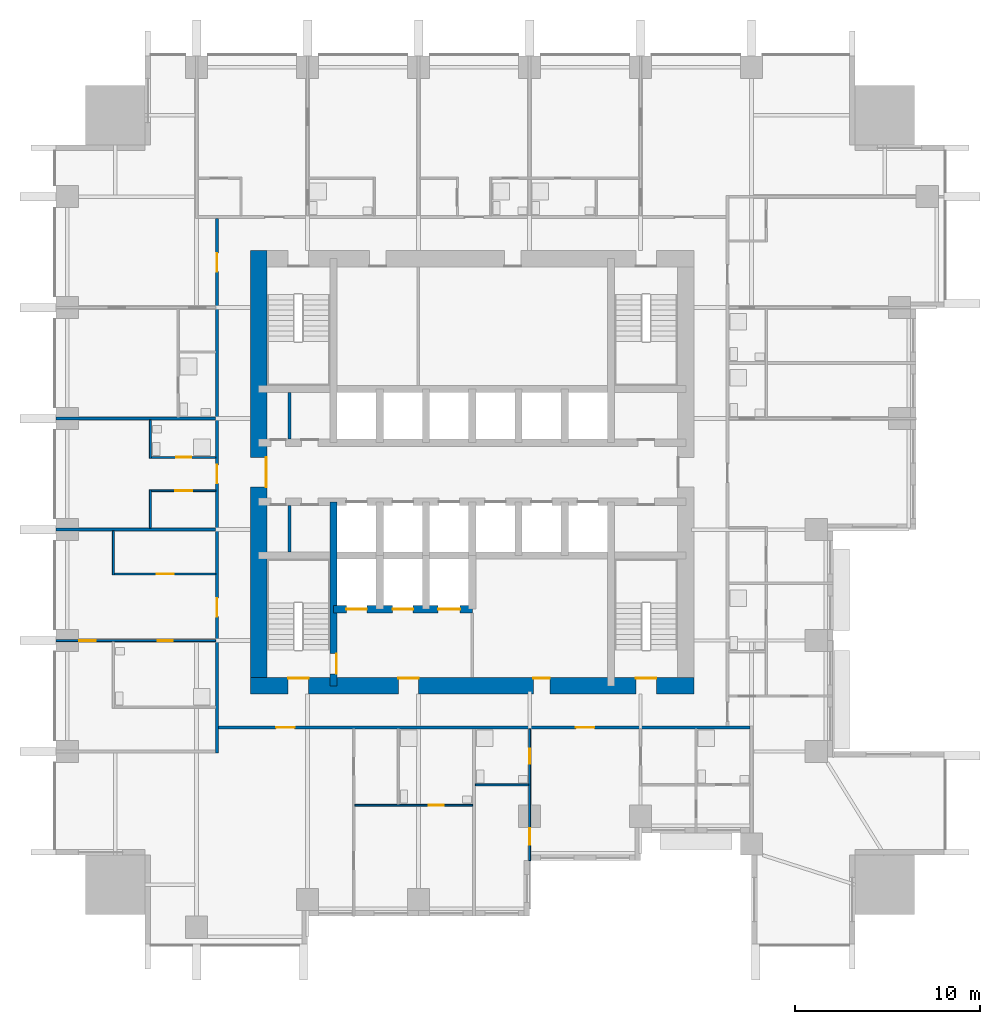
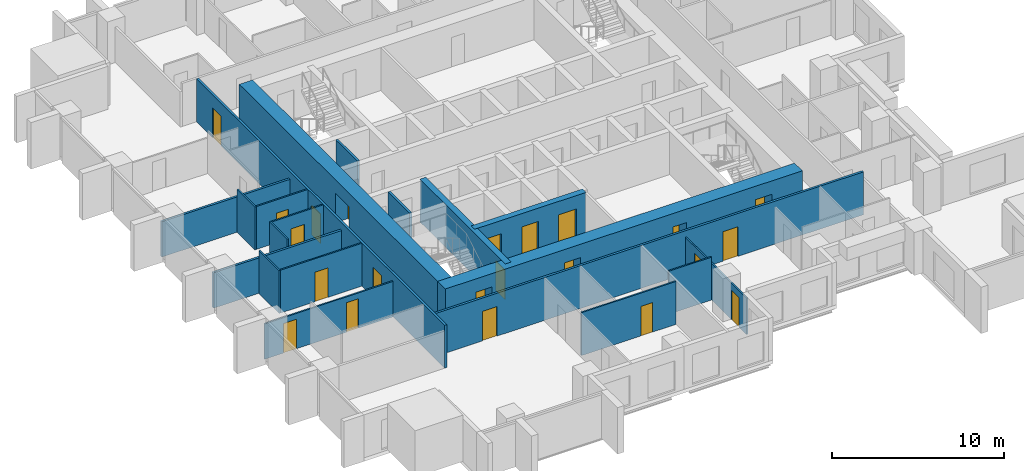
# One storey, part 4 of 10: 22 doors, 20 walls, 22 openings.
"""IFC4 building model written with IfcOpenShell, lengths in metres."""

from ifc_helpers import new_model, si_unit, direction, frame, frame_2d, origin, place, context, subcontext, project, spatial, rectangle, extrude, material, layer, layer_set, type_object, element, fill, save


model = new_model("IFC4")

# Units and contexts
model_context = context("Model", 3, precision=1e-05, world=origin(), true_north=direction((0.0, 1.0)))
body_context = subcontext(model_context, "Body", "Model", "MODEL_VIEW")
ifc_project = project(units=[si_unit("LENGTHUNIT", "METRE"), si_unit("AREAUNIT", "SQUARE_METRE"), si_unit("VOLUMEUNIT", "CUBIC_METRE"), si_unit("PLANEANGLEUNIT", "RADIAN"), si_unit("MASSUNIT", "GRAM", prefix="KILO")], contexts=[model_context])

# Site, building, storey
site_placement = place(None, origin())
site = spatial("IfcSite", under=ifc_project, at=site_placement, CompositionType="ELEMENT")
building_placement = place(site_placement, origin())
building = spatial("IfcBuilding", under=site, at=building_placement, Name="Amberfall Residences", CompositionType="ELEMENT")
storey_placement = place(building_placement, frame((0.0, 0.0, 63.10009765625)))
storey = spatial("IfcBuildingStorey", under=building, at=storey_placement, Name="L17", CompositionType="ELEMENT", Elevation=63.10009765625)

# Wall, opening, door
ifc_material_1 = material(Name="Concrete C80", Category="concrete")
ifc_layer_1 = layer(ifc_material_1, 0.39990234375)
ifc_layer_set_1 = layer_set([ifc_layer_1], Name="Core wall 400 C80")
wall_type_1 = type_object("IfcWallType", Name="Core wall 400 C80", PredefinedType="SHEAR", material=ifc_layer_set_1)
wall_1_placement = place(storey_placement, frame((67.0, 33.949951171875, 0.0), z_axis=(0.0, 0.0, 1.0), x_axis=(0.0, 1.0, 0.0)))
wall_1 = element("IfcWall", 1, at=wall_1_placement, inside=storey, type_object=wall_type_1, Name="Core wall RW2 L17 V45S", PredefinedType="SHEAR", context=body_context, shape_type="SweptSolid", body=[
    extrude(rectangle(XDim=9.949951171875, YDim=0.39990234375, at=frame_2d((4.97509765625, 0.0))), origin(), (0.0, 0.0, 1.0), 3.0498046875),
])
opening_1_placement = place(wall_1_placement, frame((0.64990234375, 0.0, 0.0)))
opening_1 = element("IfcOpeningElement", 2, at=opening_1_placement, cuts=wall_1, Name="Opening FL1", PredefinedType="OPENING", context=body_context, shape_type="SweptSolid", body=[
    extrude(rectangle(XDim=1.10009765625, YDim=2.10009765625, at=frame_2d((0.550048828125, 1.050048828125))), frame((0.0, 0.2099609375, 0.0), z_axis=(0.0, -1.0, 0.0), x_axis=(1.0, 0.0, 0.0)), (0.0, 0.0, 1.0), 0.419921875),
])
ifc_material_2 = material(Name="Steel fire door set", Category="steel")
door_type_1 = type_object("IfcDoorType", Name="Firefighting lobby door 1100 x 2100", OperationType="SINGLE_SWING_LEFT", PredefinedType="DOOR", material=ifc_material_2)
door_1_placement = place(opening_1_placement, origin())
door_1 = element("IfcDoor", 3, at=door_1_placement, inside=storey, type_object=door_type_1, Name="FL1 L17", OperationType="SINGLE_SWING_RIGHT", OverallHeight=2.10009765625, OverallWidth=1.10009765625, PredefinedType="DOOR", context=body_context, shape_type="SweptSolid", body=[
    extrude(rectangle(XDim=1.10009765625, YDim=2.10009765625, at=frame_2d((0.550048828125, 1.050048828125))), frame((0.0, -0.1376953125, 0.0), z_axis=(0.0, -1.0, 0.0), x_axis=(1.0, 0.0, 0.0)), (0.0, 0.0, 1.0), 0.050048828125),
])
fill(opening_1, door_1)

# Wall, openings, doors
wall_2_placement = place(storey_placement, frame((67.0, 38.10009765625, 0.0), z_axis=(0.0, 0.0, 1.0), x_axis=(1.0, 0.0, 0.0)))
wall_2 = element("IfcWall", 4, at=wall_2_placement, inside=storey, type_object=wall_type_1, Name="Core wall RW2 L17 FFF", PredefinedType="SHEAR", context=body_context, shape_type="SweptSolid", body=[
    extrude(rectangle(XDim=7.5, YDim=0.39990234375, at=frame_2d((3.75, 0.0))), origin(), (0.0, 0.0, 1.0), 3.0498046875),
])
opening_2_placement = place(wall_2_placement, frame((0.699951171875, 0.0, 0.0)))
opening_2 = element("IfcOpeningElement", 5, at=opening_2_placement, cuts=wall_2, Name="Opening LD2", PredefinedType="OPENING", context=body_context, shape_type="SweptSolid", body=[
    extrude(rectangle(XDim=1.10009765625, YDim=2.10009765625, at=frame_2d((0.550048828125, 1.050048828125))), frame((0.0, 0.2099609375, 0.0), z_axis=(0.0, -1.0, 0.0), x_axis=(1.0, 0.0, 0.0)), (0.0, 0.0, 1.0), 0.419921875),
])
opening_3_placement = place(wall_2_placement, frame((3.199951171875, 0.0, 0.0)))
opening_3 = element("IfcOpeningElement", 6, at=opening_3_placement, cuts=wall_2, Name="Opening LD2", PredefinedType="OPENING", context=body_context, shape_type="SweptSolid", body=[
    extrude(rectangle(XDim=1.10009765625, YDim=2.10009765625, at=frame_2d((0.550048828125, 1.050048828125))), frame((0.0, 0.2099609375, 0.0), z_axis=(0.0, -1.0, 0.0), x_axis=(1.0, 0.0, 0.0)), (0.0, 0.0, 1.0), 0.419921875),
])
opening_4_placement = place(wall_2_placement, frame((5.64990234375, 0.0, 0.0)))
opening_4 = element("IfcOpeningElement", 7, at=opening_4_placement, cuts=wall_2, Name="Opening LD3", PredefinedType="OPENING", context=body_context, shape_type="SweptSolid", body=[
    extrude(rectangle(XDim=1.199951171875, YDim=2.10009765625, at=frame_2d((0.60009765625, 1.050048828125))), frame((0.0, 0.2099609375, 0.0), z_axis=(0.0, -1.0, 0.0), x_axis=(1.0, 0.0, 0.0)), (0.0, 0.0, 1.0), 0.419921875),
])
door_type_2 = type_object("IfcDoorType", Name="Firefighting lift landing door 1100 x 2100", OperationType="DOUBLE_DOOR_SLIDING", PredefinedType="DOOR", material=ifc_material_2)
door_2_placement = place(opening_2_placement, origin())
door_2 = element("IfcDoor", 8, at=door_2_placement, inside=storey, type_object=door_type_2, Name="Landing door FF1 L17", OperationType="DOUBLE_DOOR_SLIDING", OverallHeight=2.10009765625, OverallWidth=1.10009765625, PredefinedType="DOOR", context=body_context, shape_type="SweptSolid", body=[
    extrude(rectangle(XDim=1.10009765625, YDim=2.10009765625, at=frame_2d((0.550048828125, 1.050048828125))), frame((0.0, 0.02490234375, 0.0), z_axis=(0.0, -1.0, 0.0), x_axis=(1.0, 0.0, 0.0)), (0.0, 0.0, 1.0), 0.050048828125),
])
fill(opening_2, door_2)
door_3_placement = place(opening_3_placement, origin())
door_3 = element("IfcDoor", 9, at=door_3_placement, inside=storey, type_object=door_type_2, Name="Landing door FF2 L17", OperationType="DOUBLE_DOOR_SLIDING", OverallHeight=2.10009765625, OverallWidth=1.10009765625, PredefinedType="DOOR", context=body_context, shape_type="SweptSolid", body=[
    extrude(rectangle(XDim=1.10009765625, YDim=2.10009765625, at=frame_2d((0.550048828125, 1.050048828125))), frame((0.0, 0.02490234375, 0.0), z_axis=(0.0, -1.0, 0.0), x_axis=(1.0, 0.0, 0.0)), (0.0, 0.0, 1.0), 0.050048828125),
])
fill(opening_3, door_3)
door_type_3 = type_object("IfcDoorType", Name="Service lift landing door 1200 x 2100", OperationType="DOUBLE_DOOR_SLIDING", PredefinedType="DOOR", material=ifc_material_2)
door_4_placement = place(opening_4_placement, origin())
door_4 = element("IfcDoor", 10, at=door_4_placement, inside=storey, type_object=door_type_3, Name="Landing door SL1 L17", OperationType="DOUBLE_DOOR_SLIDING", OverallHeight=2.10009765625, OverallWidth=1.199951171875, PredefinedType="DOOR", context=body_context, shape_type="SweptSolid", body=[
    extrude(rectangle(XDim=1.199951171875, YDim=2.10009765625, at=frame_2d((0.60009765625, 1.050048828125))), frame((0.0, 0.02490234375, 0.0), z_axis=(0.0, -1.0, 0.0), x_axis=(1.0, 0.0, 0.0)), (0.0, 0.0, 1.0), 0.050048828125),
])
fill(opening_4, door_4)

ifc_layer_2 = layer(ifc_material_1, 0.89990234375)
ifc_layer_set_2 = layer_set([ifc_layer_2], Name="Core wall 900 C80")
wall_type_2 = type_object("IfcWallType", Name="Core wall 900 C80", PredefinedType="SHEAR", material=ifc_layer_set_2)
wall_3_placement = place(storey_placement, frame((62.5, 33.949951171875, 0.0), z_axis=(0.0, 0.0, 1.0), x_axis=(1.0, 0.0, 0.0)))
wall_3 = element("IfcWall", 11, at=wall_3_placement, inside=storey, type_object=wall_type_2, Name="Core wall RW1 L17 OS", PredefinedType="SHEAR", context=body_context, shape_type="SweptSolid", body=[
    extrude(rectangle(XDim=24.0, YDim=0.89990234375, at=frame_2d((12.0, 0.0))), origin(), (0.0, 0.0, 1.0), 3.0498046875),
])
opening_5_placement = place(wall_3_placement, frame((2.050048828125, 0.0, 0.0)))
opening_5 = element("IfcOpeningElement", 12, at=opening_5_placement, cuts=wall_3, Name="Opening SD1", PredefinedType="OPENING", context=body_context, shape_type="SweptSolid", body=[
    extrude(rectangle(XDim=1.10009765625, YDim=2.10009765625, at=frame_2d((0.550048828125, 1.050048828125))), frame((0.0, 0.4599609375, 0.0), z_axis=(0.0, -1.0, 0.0), x_axis=(1.0, 0.0, 0.0)), (0.0, 0.0, 1.0), 0.919921875),
])
opening_6_placement = place(wall_3_placement, frame((20.85009765625, 0.0, 0.0)))
opening_6 = element("IfcOpeningElement", 13, at=opening_6_placement, cuts=wall_3, Name="Opening SD1", PredefinedType="OPENING", context=body_context, shape_type="SweptSolid", body=[
    extrude(rectangle(XDim=1.10009765625, YDim=2.10009765625, at=frame_2d((0.550048828125, 1.050048828125))), frame((0.0, 0.4599609375, 0.0), z_axis=(0.0, -1.0, 0.0), x_axis=(1.0, 0.0, 0.0)), (0.0, 0.0, 1.0), 0.919921875),
])
opening_7_placement = place(wall_3_placement, frame((8.0, 0.0, 0.0)))
opening_7 = element("IfcOpeningElement", 14, at=opening_7_placement, cuts=wall_3, Name="Opening FL1", PredefinedType="OPENING", context=body_context, shape_type="SweptSolid", body=[
    extrude(rectangle(XDim=1.10009765625, YDim=2.10009765625, at=frame_2d((0.550048828125, 1.050048828125))), frame((0.0, 0.4599609375, 0.0), z_axis=(0.0, -1.0, 0.0), x_axis=(1.0, 0.0, 0.0)), (0.0, 0.0, 1.0), 0.919921875),
])
opening_8_placement = place(wall_3_placement, frame((15.300048828125, 0.0, 0.0)))
opening_8 = element("IfcOpeningElement", 15, at=opening_8_placement, cuts=wall_3, Name="Opening RD1", PredefinedType="OPENING", context=body_context, shape_type="SweptSolid", body=[
    extrude(rectangle(XDim=0.89990234375, YDim=2.10009765625, at=frame_2d((0.449951171875, 1.050048828125))), frame((0.0, 0.4599609375, 0.0), z_axis=(0.0, -1.0, 0.0), x_axis=(1.0, 0.0, 0.0)), (0.0, 0.0, 1.0), 0.919921875),
])
door_5_placement = place(opening_7_placement, origin())
door_5 = element("IfcDoor", 16, at=door_5_placement, inside=storey, type_object=door_type_1, Name="FL1 L17", OperationType="SINGLE_SWING_LEFT", OverallHeight=2.10009765625, OverallWidth=1.10009765625, PredefinedType="DOOR", context=body_context, shape_type="SweptSolid", body=[
    extrude(rectangle(XDim=1.10009765625, YDim=2.10009765625, at=frame_2d((0.550048828125, 1.050048828125))), frame((0.0, 0.4375, 0.0), z_axis=(0.0, -1.0, 0.0), x_axis=(1.0, 0.0, 0.0)), (0.0, 0.0, 1.0), 0.050048828125),
])
fill(opening_7, door_5)
door_type_4 = type_object("IfcDoorType", Name="Service room door 900 x 2100", OperationType="SINGLE_SWING_LEFT", PredefinedType="DOOR", material=ifc_material_2)
door_6_placement = place(opening_8_placement, origin())
door_6 = element("IfcDoor", 17, at=door_6_placement, inside=storey, type_object=door_type_4, Name="RD1 L17", OperationType="SINGLE_SWING_LEFT", OverallHeight=2.10009765625, OverallWidth=0.89990234375, PredefinedType="DOOR", context=body_context, shape_type="SweptSolid", body=[
    extrude(rectangle(XDim=0.89990234375, YDim=2.10009765625, at=frame_2d((0.449951171875, 1.050048828125))), frame((0.0, 0.4375, 0.0), z_axis=(0.0, -1.0, 0.0), x_axis=(1.0, 0.0, 0.0)), (0.0, 0.0, 1.0), 0.050048828125),
])
fill(opening_8, door_6)
door_type_5 = type_object("IfcDoorType", Name="Stair door 1100 x 2100", OperationType="SINGLE_SWING_LEFT", PredefinedType="DOOR", material=ifc_material_2)
door_7_placement = place(opening_5_placement, origin())
door_7 = element("IfcDoor", 18, at=door_7_placement, inside=storey, type_object=door_type_5, Name="SD1 L17", OperationType="SINGLE_SWING_LEFT", OverallHeight=2.10009765625, OverallWidth=1.10009765625, PredefinedType="DOOR", context=body_context, shape_type="SweptSolid", body=[
    extrude(rectangle(XDim=1.10009765625, YDim=2.10009765625, at=frame_2d((0.550048828125, 1.050048828125))), frame((0.0, 0.4375, 0.0), z_axis=(0.0, -1.0, 0.0), x_axis=(1.0, 0.0, 0.0)), (0.0, 0.0, 1.0), 0.050048828125),
])
fill(opening_5, door_7)
door_8_placement = place(opening_6_placement, origin())
door_8 = element("IfcDoor", 19, at=door_8_placement, inside=storey, type_object=door_type_5, Name="SD1 L17", OperationType="SINGLE_SWING_RIGHT", OverallHeight=2.10009765625, OverallWidth=1.10009765625, PredefinedType="DOOR", context=body_context, shape_type="SweptSolid", body=[
    extrude(rectangle(XDim=1.10009765625, YDim=2.10009765625, at=frame_2d((0.550048828125, 1.050048828125))), frame((0.0, 0.4375, 0.0), z_axis=(0.0, -1.0, 0.0), x_axis=(1.0, 0.0, 0.0)), (0.0, 0.0, 1.0), 0.050048828125),
])
fill(opening_6, door_8)

# Wall, opening, door
wall_4_placement = place(storey_placement, frame((62.949951171875, 33.5, 0.0), z_axis=(0.0, 0.0, 1.0), x_axis=(0.0, 1.0, 0.0)))
wall_4 = element("IfcWall", 20, at=wall_4_placement, inside=storey, type_object=wall_type_2, Name="Core wall RW1 L17 OW", PredefinedType="SHEAR", context=body_context, shape_type="SweptSolid", body=[
    extrude(rectangle(XDim=24.0, YDim=0.89990234375, at=frame_2d((12.0, 0.0))), origin(), (0.0, 0.0, 1.0), 3.0498046875),
])
opening_9_placement = place(wall_4_placement, frame((11.199951171875, 0.0, 0.0)))
opening_9 = element("IfcOpeningElement", 21, at=opening_9_placement, cuts=wall_4, Name="Opening LB1", PredefinedType="OPENING", context=body_context, shape_type="SweptSolid", body=[
    extrude(rectangle(XDim=1.60009765625, YDim=2.10009765625, at=frame_2d((0.800048828125, 1.050048828125))), frame((0.0, 0.4599609375, 0.0), z_axis=(0.0, -1.0, 0.0), x_axis=(1.0, 0.0, 0.0)), (0.0, 0.0, 1.0), 0.919921875),
])
door_type_6 = type_object("IfcDoorType", Name="Lift lobby double door 1600 x 2100", OperationType="DOUBLE_DOOR_SINGLE_SWING", PredefinedType="DOOR", material=ifc_material_2)
door_9_placement = place(opening_9_placement, origin())
door_9 = element("IfcDoor", 22, at=door_9_placement, inside=storey, type_object=door_type_6, Name="LB1 L17", OperationType="DOUBLE_DOOR_SINGLE_SWING", OverallHeight=2.10009765625, OverallWidth=1.60009765625, PredefinedType="DOOR", context=body_context, shape_type="SweptSolid", body=[
    extrude(rectangle(XDim=1.60009765625, YDim=2.10009765625, at=frame_2d((0.800048828125, 1.050048828125))), frame((0.0, -0.3876953125, 0.0), z_axis=(0.0, -1.0, 0.0), x_axis=(1.0, 0.0, 0.0)), (0.0, 0.0, 1.0), 0.050048828125),
])
fill(opening_9, door_9)

# Walls
ifc_material_3 = material(Name="Gypsum board on metal stud")
ifc_layer_3 = layer(ifc_material_3, 0.10009765625)
ifc_layer_set_3 = layer_set([ifc_layer_3], Name="Flat partition 100")
wall_type_3 = type_object("IfcWallType", Name="Flat partition 100", PredefinedType="PARTITIONING", material=ifc_layer_set_3)
wall_5_placement = place(storey_placement, frame((55.10009765625, 39.949951171875, 0.0), z_axis=(0.0, 0.0, 1.0), x_axis=(0.0, 1.0, 0.0)))
element("IfcWall", 23, at=wall_5_placement, inside=storey, type_object=wall_type_3, Name="Partition 002", PredefinedType="PARTITIONING", context=body_context, shape_type="SweptSolid", body=[
    extrude(rectangle(XDim=2.375, YDim=0.10009765625, at=frame_2d((1.1875, 0.0))), origin(), (0.0, 0.0, 1.0), 3.0498046875),
])
for number, where, z_axis, x_axis, name in (
    (24, (57.10009765625, 42.47509765625, 0.0), (0.0, 0.0, 1.0), (0.0, 1.0, 0.0), "Partition 003"),
    (25, (57.10009765625, 46.25, 0.0), (0.0, 0.0, 1.0), (0.0, 1.0, 0.0), "Partition 004"),
):
    element("IfcWall", number, at=place(storey_placement, frame(where, z_axis=z_axis, x_axis=x_axis)), inside=storey, type_object=wall_type_3, Name=name, PredefinedType="PARTITIONING", context=body_context, shape_type="SweptSolid", body=[
        extrude(rectangle(XDim=2.074951171875, YDim=0.10009765625, at=frame_2d((1.03759765625, 0.0))), origin(), (0.0, 0.0, 1.0), 3.0498046875),
    ])

# Wall, openings, doors
wall_6_placement = place(storey_placement, frame((77.60009765625, 24.5, 0.0), z_axis=(0.0, 0.0, 1.0), x_axis=(0.0, 1.0, 0.0)))
wall_6 = element("IfcWall", 26, at=wall_6_placement, inside=storey, type_object=wall_type_3, Name="Partition 013", PredefinedType="PARTITIONING", context=body_context, shape_type="SweptSolid", body=[
    extrude(rectangle(XDim=7.125, YDim=0.10009765625, at=frame_2d((3.5625, 0.0))), origin(), (0.0, 0.0, 1.0), 2.58984375),
])
opening_10_placement = place(wall_6_placement, frame((0.85009765625, 0.0, 0.0)))
opening_10 = element("IfcOpeningElement", 27, at=opening_10_placement, cuts=wall_6, Name="Opening D41", PredefinedType="OPENING", context=body_context, shape_type="SweptSolid", body=[
    extrude(rectangle(XDim=0.89990234375, YDim=2.10009765625, at=frame_2d((0.449951171875, 1.050048828125))), frame((0.0, 0.06005859375, 0.0), z_axis=(0.0, -1.0, 0.0), x_axis=(1.0, 0.0, 0.0)), (0.0, 0.0, 1.0), 0.1201171875),
])
opening_11_placement = place(wall_6_placement, frame((5.25, 0.0, 0.0)))
opening_11 = element("IfcOpeningElement", 28, at=opening_11_placement, cuts=wall_6, Name="Opening D42", PredefinedType="OPENING", context=body_context, shape_type="SweptSolid", body=[
    extrude(rectangle(XDim=0.800048828125, YDim=2.10009765625, at=frame_2d((0.39990234375, 1.050048828125))), frame((0.0, 0.06005859375, 0.0), z_axis=(0.0, -1.0, 0.0), x_axis=(1.0, 0.0, 0.0)), (0.0, 0.0, 1.0), 0.1201171875),
])
ifc_material_4 = material(Name="Timber", Category="wood")
door_type_7 = type_object("IfcDoorType", Name="Bathroom door 800 x 2100", OperationType="SINGLE_SWING_LEFT", PredefinedType="DOOR", material=ifc_material_4)
door_10_placement = place(opening_11_placement, origin())
door_10 = element("IfcDoor", 29, at=door_10_placement, inside=storey, type_object=door_type_7, Name="Door 1702 bath1", OperationType="SINGLE_SWING_LEFT", OverallHeight=2.10009765625, OverallWidth=0.800048828125, PredefinedType="DOOR", context=body_context, shape_type="SweptSolid", body=[
    extrude(rectangle(XDim=0.800048828125, YDim=2.10009765625, at=frame_2d((0.39990234375, 1.050048828125))), frame((0.0, 0.02490234375, 0.0), z_axis=(0.0, -1.0, 0.0), x_axis=(1.0, 0.0, 0.0)), (0.0, 0.0, 1.0), 0.050048828125),
])
fill(opening_11, door_10)
door_type_8 = type_object("IfcDoorType", Name="Internal door 900 x 2100", OperationType="SINGLE_SWING_LEFT", PredefinedType="DOOR", material=ifc_material_4)
door_11_placement = place(opening_10_placement, origin())
door_11 = element("IfcDoor", 30, at=door_11_placement, inside=storey, type_object=door_type_8, Name="Door 1702 bedroom1", OperationType="SINGLE_SWING_LEFT", OverallHeight=2.10009765625, OverallWidth=0.89990234375, PredefinedType="DOOR", context=body_context, shape_type="SweptSolid", body=[
    extrude(rectangle(XDim=0.89990234375, YDim=2.10009765625, at=frame_2d((0.449951171875, 1.050048828125))), frame((0.0, 0.02490234375, 0.0), z_axis=(0.0, -1.0, 0.0), x_axis=(1.0, 0.0, 0.0)), (0.0, 0.0, 1.0), 0.050048828125),
])
fill(opening_10, door_11)

# Wall, opening, door
wall_7_placement = place(storey_placement, frame((57.14990234375, 46.300048828125, 0.0), z_axis=(0.0, 0.0, 1.0), x_axis=(1.0, 0.0, 0.0)))
wall_7 = element("IfcWall", 31, at=wall_7_placement, inside=storey, type_object=wall_type_3, Name="Partition 030", PredefinedType="PARTITIONING", context=body_context, shape_type="SweptSolid", body=[
    extrude(rectangle(XDim=3.47509765625, YDim=0.10009765625, at=frame_2d((1.737548828125, 0.0))), origin(), (0.0, 0.0, 1.0), 3.0498046875),
])
opening_12_placement = place(wall_7_placement, frame((1.35009765625, 0.0, 0.0)))
opening_12 = element("IfcOpeningElement", 32, at=opening_12_placement, cuts=wall_7, Name="Opening D42", PredefinedType="OPENING", context=body_context, shape_type="SweptSolid", body=[
    extrude(rectangle(XDim=0.800048828125, YDim=2.10009765625, at=frame_2d((0.39990234375, 1.050048828125))), frame((0.0, 0.06005859375, 0.0), z_axis=(0.0, -1.0, 0.0), x_axis=(1.0, 0.0, 0.0)), (0.0, 0.0, 1.0), 0.1201171875),
])
door_12_placement = place(opening_12_placement, origin())
door_12 = element("IfcDoor", 33, at=door_12_placement, inside=storey, type_object=door_type_7, Name="Door 1710 bath1", OperationType="SINGLE_SWING_LEFT", OverallHeight=2.10009765625, OverallWidth=0.800048828125, PredefinedType="DOOR", context=body_context, shape_type="SweptSolid", body=[
    extrude(rectangle(XDim=0.800048828125, YDim=2.10009765625, at=frame_2d((0.39990234375, 1.050048828125))), frame((0.0, 0.02490234375, 0.0), z_axis=(0.0, -1.0, 0.0), x_axis=(1.0, 0.0, 0.0)), (0.0, 0.0, 1.0), 0.050048828125),
])
fill(opening_12, door_12)

wall_8_placement = place(storey_placement, frame((60.625, 44.5, 0.0), z_axis=(0.0, 0.0, 1.0), x_axis=(-1.0, 0.0, 0.0)))
wall_8 = element("IfcWall", 34, at=wall_8_placement, inside=storey, type_object=wall_type_3, Name="Partition 031", PredefinedType="PARTITIONING", context=body_context, shape_type="SweptSolid", body=[
    extrude(rectangle(XDim=3.47509765625, YDim=0.10009765625, at=frame_2d((1.737548828125, 0.0))), origin(), (0.0, 0.0, 1.0), 3.0498046875),
])
opening_13_placement = place(wall_8_placement, frame((1.27490234375, 0.0, 0.0)))
opening_13 = element("IfcOpeningElement", 35, at=opening_13_placement, cuts=wall_8, Name="Opening D41", PredefinedType="OPENING", context=body_context, shape_type="SweptSolid", body=[
    extrude(rectangle(XDim=0.89990234375, YDim=2.10009765625, at=frame_2d((0.449951171875, 1.050048828125))), frame((0.0, 0.06005859375, 0.0), z_axis=(0.0, -1.0, 0.0), x_axis=(1.0, 0.0, 0.0)), (0.0, 0.0, 1.0), 0.1201171875),
])
door_13_placement = place(opening_13_placement, origin())
door_13 = element("IfcDoor", 36, at=door_13_placement, inside=storey, type_object=door_type_8, Name="Door 1710 kitchen", OperationType="SINGLE_SWING_LEFT", OverallHeight=2.10009765625, OverallWidth=0.89990234375, PredefinedType="DOOR", context=body_context, shape_type="SweptSolid", body=[
    extrude(rectangle(XDim=0.89990234375, YDim=2.10009765625, at=frame_2d((0.449951171875, 1.050048828125))), frame((0.0, 0.02490234375, 0.0), z_axis=(0.0, -1.0, 0.0), x_axis=(1.0, 0.0, 0.0)), (0.0, 0.0, 1.0), 0.050048828125),
])
fill(opening_13, door_13)

wall_9_placement = place(storey_placement, frame((55.14990234375, 40.0, 0.0), z_axis=(0.0, 0.0, 1.0), x_axis=(1.0, 0.0, 0.0)))
wall_9 = element("IfcWall", 37, at=wall_9_placement, inside=storey, type_object=wall_type_3, Name="Partition 033", PredefinedType="PARTITIONING", context=body_context, shape_type="SweptSolid", body=[
    extrude(rectangle(XDim=5.47509765625, YDim=0.10009765625, at=frame_2d((2.737548828125, 0.0))), origin(), (0.0, 0.0, 1.0), 3.0498046875),
])
opening_14_placement = place(wall_9_placement, frame((2.300048828125, 0.0, 0.0)))
opening_14 = element("IfcOpeningElement", 38, at=opening_14_placement, cuts=wall_9, Name="Opening D41", PredefinedType="OPENING", context=body_context, shape_type="SweptSolid", body=[
    extrude(rectangle(XDim=0.89990234375, YDim=2.10009765625, at=frame_2d((0.449951171875, 1.050048828125))), frame((0.0, 0.06005859375, 0.0), z_axis=(0.0, -1.0, 0.0), x_axis=(1.0, 0.0, 0.0)), (0.0, 0.0, 1.0), 0.1201171875),
])
door_14_placement = place(opening_14_placement, origin())
door_14 = element("IfcDoor", 39, at=door_14_placement, inside=storey, type_object=door_type_8, Name="Door 1709 kitchen", OperationType="SINGLE_SWING_LEFT", OverallHeight=2.10009765625, OverallWidth=0.89990234375, PredefinedType="DOOR", context=body_context, shape_type="SweptSolid", body=[
    extrude(rectangle(XDim=0.89990234375, YDim=2.10009765625, at=frame_2d((0.449951171875, 1.050048828125))), frame((0.0, 0.02490234375, 0.0), z_axis=(0.0, -1.0, 0.0), x_axis=(1.0, 0.0, 0.0)), (0.0, 0.0, 1.0), 0.050048828125),
])
fill(opening_14, door_14)

# Wall, openings, doors
wall_10_placement = place(storey_placement, frame((60.625, 36.39990234375, 0.0), z_axis=(0.0, 0.0, 1.0), x_axis=(-1.0, 0.0, 0.0)))
wall_10 = element("IfcWall", 40, at=wall_10_placement, inside=storey, type_object=wall_type_3, Name="Partition 034", PredefinedType="PARTITIONING", context=body_context, shape_type="SweptSolid", body=[
    extrude(rectangle(XDim=8.625, YDim=0.10009765625, at=frame_2d((4.3125, 0.0))), origin(), (0.0, 0.0, 1.0), 2.515869140625),
])
opening_15_placement = place(wall_10_placement, frame((6.47509765625, 0.0, 0.0)))
opening_15 = element("IfcOpeningElement", 41, at=opening_15_placement, cuts=wall_10, Name="Opening D41", PredefinedType="OPENING", context=body_context, shape_type="SweptSolid", body=[
    extrude(rectangle(XDim=0.89990234375, YDim=2.10009765625, at=frame_2d((0.449951171875, 1.050048828125))), frame((0.0, 0.06005859375, 0.0), z_axis=(0.0, -1.0, 0.0), x_axis=(1.0, 0.0, 0.0)), (0.0, 0.0, 1.0), 0.1201171875),
])
opening_16_placement = place(wall_10_placement, frame((2.324951171875, 0.0, 0.0)))
opening_16 = element("IfcOpeningElement", 42, at=opening_16_placement, cuts=wall_10, Name="Opening D42", PredefinedType="OPENING", context=body_context, shape_type="SweptSolid", body=[
    extrude(rectangle(XDim=0.800048828125, YDim=2.10009765625, at=frame_2d((0.39990234375, 1.050048828125))), frame((0.0, 0.06005859375, 0.0), z_axis=(0.0, -1.0, 0.0), x_axis=(1.0, 0.0, 0.0)), (0.0, 0.0, 1.0), 0.1201171875),
])
door_15_placement = place(opening_16_placement, origin())
door_15 = element("IfcDoor", 43, at=door_15_placement, inside=storey, type_object=door_type_7, Name="Door 1709 bath1", OperationType="SINGLE_SWING_LEFT", OverallHeight=2.10009765625, OverallWidth=0.800048828125, PredefinedType="DOOR", context=body_context, shape_type="SweptSolid", body=[
    extrude(rectangle(XDim=0.800048828125, YDim=2.10009765625, at=frame_2d((0.39990234375, 1.050048828125))), frame((0.0, 0.02490234375, 0.0), z_axis=(0.0, -1.0, 0.0), x_axis=(1.0, 0.0, 0.0)), (0.0, 0.0, 1.0), 0.050048828125),
])
fill(opening_16, door_15)
door_16_placement = place(opening_15_placement, origin())
door_16 = element("IfcDoor", 44, at=door_16_placement, inside=storey, type_object=door_type_8, Name="Door 1709 bedroom1", OperationType="SINGLE_SWING_LEFT", OverallHeight=2.10009765625, OverallWidth=0.89990234375, PredefinedType="DOOR", context=body_context, shape_type="SweptSolid", body=[
    extrude(rectangle(XDim=0.89990234375, YDim=2.10009765625, at=frame_2d((0.449951171875, 1.050048828125))), frame((0.0, 0.02490234375, 0.0), z_axis=(0.0, -1.0, 0.0), x_axis=(1.0, 0.0, 0.0)), (0.0, 0.0, 1.0), 0.050048828125),
])
fill(opening_15, door_16)

# Wall
wall_11_placement = place(storey_placement, frame((74.675048828125, 28.60009765625, 0.0), z_axis=(0.0, 0.0, 1.0), x_axis=(1.0, 0.0, 0.0)))
element("IfcWall", 45, at=wall_11_placement, inside=storey, type_object=wall_type_3, Name="Partition 038", PredefinedType="PARTITIONING", context=body_context, shape_type="SweptSolid", body=[
    extrude(rectangle(XDim=2.875, YDim=0.10009765625, at=frame_2d((1.4375, 0.0))), origin(), (0.0, 0.0, 1.0), 3.0498046875),
])

# Wall, opening, door
wall_12_placement = place(storey_placement, frame((68.14990234375, 27.5, 0.0), z_axis=(0.0, 0.0, 1.0), x_axis=(1.0, 0.0, 0.0)))
wall_12 = element("IfcWall", 46, at=wall_12_placement, inside=storey, type_object=wall_type_3, Name="Partition 040", PredefinedType="PARTITIONING", context=body_context, shape_type="SweptSolid", body=[
    extrude(rectangle(XDim=6.375, YDim=0.10009765625, at=frame_2d((3.1875, 0.0))), origin(), (0.0, 0.0, 1.0), 3.0498046875),
])
opening_17_placement = place(wall_12_placement, frame((4.0, 0.0, 0.0)))
opening_17 = element("IfcOpeningElement", 47, at=opening_17_placement, cuts=wall_12, Name="Opening D42", PredefinedType="OPENING", context=body_context, shape_type="SweptSolid", body=[
    extrude(rectangle(XDim=0.800048828125, YDim=2.10009765625, at=frame_2d((0.39990234375, 1.050048828125))), frame((0.0, 0.06005859375, 0.0), z_axis=(0.0, -1.0, 0.0), x_axis=(1.0, 0.0, 0.0)), (0.0, 0.0, 1.0), 0.1201171875),
])
door_17_placement = place(opening_17_placement, origin())
door_17 = element("IfcDoor", 48, at=door_17_placement, inside=storey, type_object=door_type_7, Name="Door 1701 bath1", OperationType="SINGLE_SWING_LEFT", OverallHeight=2.10009765625, OverallWidth=0.800048828125, PredefinedType="DOOR", context=body_context, shape_type="SweptSolid", body=[
    extrude(rectangle(XDim=0.800048828125, YDim=2.10009765625, at=frame_2d((0.39990234375, 1.050048828125))), frame((0.0, 0.02490234375, 0.0), z_axis=(0.0, -1.0, 0.0), x_axis=(1.0, 0.0, 0.0)), (0.0, 0.0, 1.0), 0.050048828125),
])
fill(opening_17, door_17)

# Wall, openings, doors
ifc_material_5 = material(Name="Blockwork, plastered", Category="masonry")
ifc_layer_4 = layer(ifc_material_5, 0.14990234375)
ifc_layer_set_4 = layer_set([ifc_layer_4], Name="Flat separating wall 150")
wall_type_4 = type_object("IfcWallType", Name="Flat separating wall 150", PredefinedType="PARTITIONING", material=ifc_layer_set_4)
wall_13_placement = place(storey_placement, frame((60.699951171875, 30.324951171875, 0.0), z_axis=(0.0, 0.0, 1.0), x_axis=(0.0, 1.0, 0.0)))
wall_13 = element("IfcWall", 49, at=wall_13_placement, inside=storey, type_object=wall_type_4, Name="Separating wall 042", PredefinedType="PARTITIONING", context=body_context, shape_type="SweptSolid", body=[
    extrude(rectangle(XDim=28.900146484375, YDim=0.14990234375, at=frame_2d((14.4501953125, 0.0))), origin(), (0.0, 0.0, 1.0), 3.0498046875),
])
opening_18_placement = place(wall_13_placement, frame((7.375, 0.0, 0.0)))
opening_18 = element("IfcOpeningElement", 50, at=opening_18_placement, cuts=wall_13, Name="Opening D40", PredefinedType="OPENING", context=body_context, shape_type="SweptSolid", body=[
    extrude(rectangle(XDim=1.0, YDim=2.10009765625, at=frame_2d((0.5, 1.050048828125))), frame((0.0, 0.0849609375, 0.0), z_axis=(0.0, -1.0, 0.0), x_axis=(1.0, 0.0, 0.0)), (0.0, 0.0, 1.0), 0.169921875),
])
opening_19_placement = place(wall_13_placement, frame((14.574951171875, 0.0, 0.0)))
opening_19 = element("IfcOpeningElement", 51, at=opening_19_placement, cuts=wall_13, Name="Opening D40", PredefinedType="OPENING", context=body_context, shape_type="SweptSolid", body=[
    extrude(rectangle(XDim=1.0, YDim=2.10009765625, at=frame_2d((0.5, 1.050048828125))), frame((0.0, 0.0849609375, 0.0), z_axis=(0.0, -1.0, 0.0), x_axis=(1.0, 0.0, 0.0)), (0.0, 0.0, 1.0), 0.169921875),
])
opening_20_placement = place(wall_13_placement, frame((26.02490234375, 0.0, 0.0)))
opening_20 = element("IfcOpeningElement", 52, at=opening_20_placement, cuts=wall_13, Name="Opening D40", PredefinedType="OPENING", context=body_context, shape_type="SweptSolid", body=[
    extrude(rectangle(XDim=1.0, YDim=2.10009765625, at=frame_2d((0.5, 1.050048828125))), frame((0.0, 0.0849609375, 0.0), z_axis=(0.0, -1.0, 0.0), x_axis=(1.0, 0.0, 0.0)), (0.0, 0.0, 1.0), 0.169921875),
])
ifc_material_6 = material(Name="Timber, fire-rated", Category="wood")
door_type_9 = type_object("IfcDoorType", Name="Flat entrance door FD60 1000 x 2100", OperationType="SINGLE_SWING_LEFT", PredefinedType="DOOR", material=ifc_material_6)
door_18_placement = place(opening_18_placement, origin())
door_18 = element("IfcDoor", 53, at=door_18_placement, inside=storey, type_object=door_type_9, Name="Door 1709 entrance", OperationType="SINGLE_SWING_LEFT", OverallHeight=2.10009765625, OverallWidth=1.0, PredefinedType="DOOR", context=body_context, shape_type="SweptSolid", body=[
    extrude(rectangle(XDim=1.0, YDim=2.10009765625, at=frame_2d((0.5, 1.050048828125))), frame((0.0, 0.02490234375, 0.0), z_axis=(0.0, -1.0, 0.0), x_axis=(1.0, 0.0, 0.0)), (0.0, 0.0, 1.0), 0.050048828125),
])
fill(opening_18, door_18)
door_19_placement = place(opening_19_placement, origin())
door_19 = element("IfcDoor", 54, at=door_19_placement, inside=storey, type_object=door_type_9, Name="Door 1710 entrance", OperationType="SINGLE_SWING_LEFT", OverallHeight=2.10009765625, OverallWidth=1.0, PredefinedType="DOOR", context=body_context, shape_type="SweptSolid", body=[
    extrude(rectangle(XDim=1.0, YDim=2.10009765625, at=frame_2d((0.5, 1.050048828125))), frame((0.0, 0.02490234375, 0.0), z_axis=(0.0, -1.0, 0.0), x_axis=(1.0, 0.0, 0.0)), (0.0, 0.0, 1.0), 0.050048828125),
])
fill(opening_19, door_19)
door_20_placement = place(opening_20_placement, origin())
door_20 = element("IfcDoor", 55, at=door_20_placement, inside=storey, type_object=door_type_9, Name="Door 1711 entrance", OperationType="SINGLE_SWING_LEFT", OverallHeight=2.10009765625, OverallWidth=1.0, PredefinedType="DOOR", context=body_context, shape_type="SweptSolid", body=[
    extrude(rectangle(XDim=1.0, YDim=2.10009765625, at=frame_2d((0.5, 1.050048828125))), frame((0.0, 0.02490234375, 0.0), z_axis=(0.0, -1.0, 0.0), x_axis=(1.0, 0.0, 0.0)), (0.0, 0.0, 1.0), 0.050048828125),
])
fill(opening_20, door_20)

# Walls
for number, where, z_axis, x_axis, name in (
    (56, (52.0, 48.39990234375, 0.0), (0.0, 0.0, 1.0), (1.0, 0.0, 0.0), "Separating wall 051"),
    (57, (52.0, 42.39990234375, 0.0), (0.0, 0.0, 1.0), (1.0, 0.0, 0.0), "Separating wall 052"),
):
    element("IfcWall", number, at=place(storey_placement, frame(where, z_axis=z_axis, x_axis=x_axis)), inside=storey, type_object=wall_type_4, Name=name, PredefinedType="PARTITIONING", context=body_context, shape_type="SweptSolid", body=[
        extrude(rectangle(XDim=8.625, YDim=0.14990234375, at=frame_2d((4.3125, 0.0))), origin(), (0.0, 0.0, 1.0), 2.515869140625),
    ])

# Wall, openings, doors
wall_14_placement = place(storey_placement, frame((89.52490234375, 31.699951171875, 0.0), z_axis=(0.0, 0.0, 1.0), x_axis=(-1.0, 0.0, 0.0)))
wall_14 = element("IfcWall", 58, at=wall_14_placement, inside=storey, type_object=wall_type_4, Name="Separating wall 054", PredefinedType="PARTITIONING", context=body_context, shape_type="SweptSolid", body=[
    extrude(rectangle(XDim=28.75, YDim=0.14990234375, at=frame_2d((14.375, 0.0))), origin(), (0.0, 0.0, 1.0), 3.0498046875),
])
opening_21_placement = place(wall_14_placement, frame((24.625, 0.0, 0.0)))
opening_21 = element("IfcOpeningElement", 59, at=opening_21_placement, cuts=wall_14, Name="Opening D40", PredefinedType="OPENING", context=body_context, shape_type="SweptSolid", body=[
    extrude(rectangle(XDim=1.0, YDim=2.10009765625, at=frame_2d((0.5, 1.050048828125))), frame((0.0, 0.0849609375, 0.0), z_axis=(0.0, -1.0, 0.0), x_axis=(1.0, 0.0, 0.0)), (0.0, 0.0, 1.0), 0.169921875),
])
opening_22_placement = place(wall_14_placement, frame((8.425048828125, 0.0, 0.0)))
opening_22 = element("IfcOpeningElement", 60, at=opening_22_placement, cuts=wall_14, Name="Opening D40", PredefinedType="OPENING", context=body_context, shape_type="SweptSolid", body=[
    extrude(rectangle(XDim=1.0, YDim=2.10009765625, at=frame_2d((0.5, 1.050048828125))), frame((0.0, 0.0849609375, 0.0), z_axis=(0.0, -1.0, 0.0), x_axis=(1.0, 0.0, 0.0)), (0.0, 0.0, 1.0), 0.169921875),
])
door_21_placement = place(opening_21_placement, origin())
door_21 = element("IfcDoor", 61, at=door_21_placement, inside=storey, type_object=door_type_9, Name="Door 1701 entrance", OperationType="SINGLE_SWING_LEFT", OverallHeight=2.10009765625, OverallWidth=1.0, PredefinedType="DOOR", context=body_context, shape_type="SweptSolid", body=[
    extrude(rectangle(XDim=1.0, YDim=2.10009765625, at=frame_2d((0.5, 1.050048828125))), frame((0.0, 0.02490234375, 0.0), z_axis=(0.0, -1.0, 0.0), x_axis=(1.0, 0.0, 0.0)), (0.0, 0.0, 1.0), 0.050048828125),
])
fill(opening_21, door_21)
door_22_placement = place(opening_22_placement, origin())
door_22 = element("IfcDoor", 62, at=door_22_placement, inside=storey, type_object=door_type_9, Name="Door 1702 entrance", OperationType="SINGLE_SWING_LEFT", OverallHeight=2.10009765625, OverallWidth=1.0, PredefinedType="DOOR", context=body_context, shape_type="SweptSolid", body=[
    extrude(rectangle(XDim=1.0, YDim=2.10009765625, at=frame_2d((0.5, 1.050048828125))), frame((0.0, 0.02490234375, 0.0), z_axis=(0.0, -1.0, 0.0), x_axis=(1.0, 0.0, 0.0)), (0.0, 0.0, 1.0), 0.050048828125),
])
fill(opening_22, door_22)

# Walls
ifc_material_7 = material(Name="Concrete blockwork", Category="masonry")
ifc_layer_5 = layer(ifc_material_7, 0.14990234375)
ifc_layer_set_5 = layer_set([ifc_layer_5], Name="Riser wall 150")
wall_type_5 = type_object("IfcWallType", Name="Riser wall 150", PredefinedType="PLUMBINGWALL", material=ifc_layer_set_5)
for number, where, z_axis, x_axis, name in (
    (63, (64.6240234375, 41.199951171875, 0.0), (0.0, 0.0, 1.0), (0.0, 1.0, 0.0), "L17 core wall ASW0"),
    (64, (64.6240234375, 47.300048828125, 0.0), (0.0, 0.0, 1.0), (0.0, 1.0, 0.0), "L17 core wall ANW0"),
):
    element("IfcWall", number, at=place(storey_placement, frame(where, z_axis=z_axis, x_axis=x_axis)), inside=storey, type_object=wall_type_5, Name=name, PredefinedType="PLUMBINGWALL", context=body_context, shape_type="SweptSolid", body=[
        extrude(rectangle(XDim=2.5, YDim=0.14990234375, at=frame_2d((1.25, 0.0))), origin(), (0.0, 0.0, 1.0), 3.0498046875),
    ])

save(model, "model.ifc")
